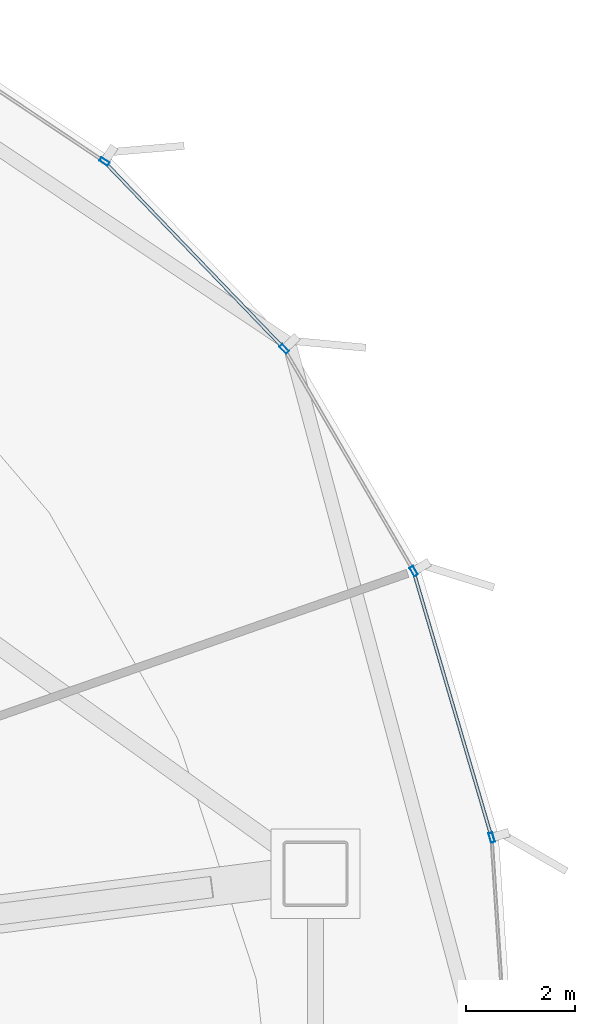
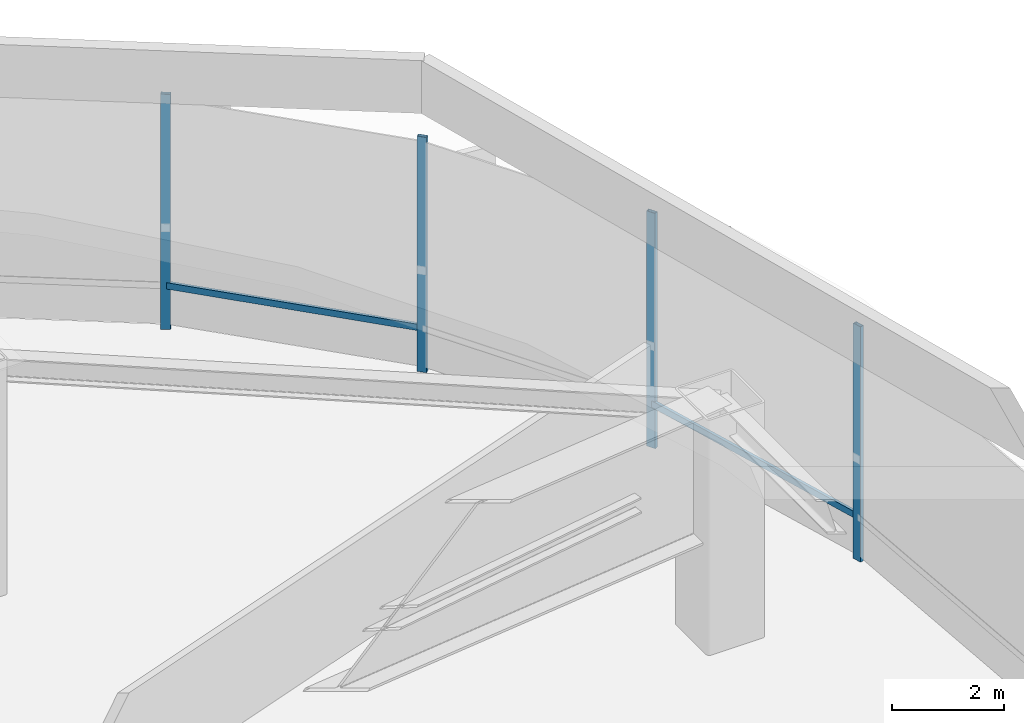
# One storey, part 23 of 36: 6 members, 1 element without a shape of its own.
"""IFC4 building model written with IfcOpenShell, lengths in metres."""

from ifc_helpers import new_model, si_unit, direction, frame, origin, origin_2d, place, context, subcontext, project, spatial, hollow_rectangle, extrude, source, transform, mapped, material, layer, layer_set, material_profile, profile_set, type_object, element, aggregate, save


model = new_model("IFC4")

# Units and contexts
model_context = context("Model", 3, precision=1e-05, world=origin(), true_north=direction((0.0, 1.0)))
body_context = subcontext(model_context, "Body", "Model", "MODEL_VIEW")
ifc_project = project(units=[si_unit("LENGTHUNIT", "METRE"), si_unit("AREAUNIT", "SQUARE_METRE"), si_unit("VOLUMEUNIT", "CUBIC_METRE"), si_unit("PLANEANGLEUNIT", "RADIAN"), si_unit("MASSUNIT", "GRAM", prefix="KILO"), si_unit("THERMODYNAMICTEMPERATUREUNIT", "KELVIN")], contexts=[model_context])

# Site, building, storey
site_placement = place(None, origin())
site = spatial("IfcSite", under=ifc_project, at=site_placement, CompositionType="ELEMENT")
building_placement = place(site_placement, origin())
building = spatial("IfcBuilding", under=site, at=building_placement, Name="Kethvar Cultural Tower", CompositionType="ELEMENT")
storey_placement = place(building_placement, frame((0.0, 0.0, 24.0)))
storey = spatial("IfcBuildingStorey", under=building, at=storey_placement, Name="L05", CompositionType="ELEMENT", Elevation=24.0)

# Curtain wall, members
ifc_material = material(Name="Aluminium 6063-T6", Category="aluminium")
ifc_layer = layer(ifc_material, 0.179931640625, Name="Aluminium 6063-T6", Category="aluminium")
ifc_layer_set = layer_set([ifc_layer], Name="Aluminium 6063-T6 (180 mm)")
curtain_wall_type = type_object("IfcCurtainWallType", Name="CW-SYS-01-POD", PredefinedType="NOTDEFINED", material=ifc_layer_set)
curtain_wall_placement = place(storey_placement, origin())
curtain_wall = element("IfcCurtainWall", 1, at=curtain_wall_placement, inside=storey, type_object=curtain_wall_type, Name="L05 Curtain Wall Run 01", PredefinedType="NOTDEFINED")
ifc_material_profile_1 = material_profile(ifc_material, hollow_rectangle(XDim=0.06005859375, YDim=0.139892578125, WallThickness=0.0048828125, at=origin_2d()), Name="Aluminium 6063-T6 — RHS140x60x5")
ifc_profile_set_1 = profile_set([ifc_material_profile_1], Name="Aluminium 6063-T6 — RHS140x60x5")
member_type_1 = type_object("IfcMemberType", Name="CW-SYS-01-POD-TRN", PredefinedType="USERDEFINED", material=ifc_profile_set_1)
shared_shape_1 = source(origin(), body_context, "Body", "SweptSolid", [
    extrude(hollow_rectangle(XDim=0.06005859375, YDim=0.139892578125, WallThickness=0.0048828125, at=origin_2d()), origin(), (0.0, 0.0, 1.0), 5.012451171875),
])
member_1_placement = place(storey_placement, frame((82.577880859375, 34.993896484375, 0.949951171875), z_axis=(-0.281770748473, 0.959481758714, 0.0), x_axis=(-0.959481758714, -0.281770748473, 0.0)))
member_1 = element("IfcMember", 2, at=member_1_placement, type_object=member_type_1, Name="CW-L05-R01 Transom 2", ObjectType="TRANSOM", PredefinedType="USERDEFINED", context=body_context, shape_type="MappedRepresentation", body=[
    mapped(shared_shape_1, transform((0.0, 0.0, 0.0), scale=1.0)),
])
shared_shape_2 = source(origin(), body_context, "Body", "SweptSolid", [
    extrude(hollow_rectangle(XDim=0.06005859375, YDim=0.139892578125, WallThickness=0.0048828125, at=origin_2d()), origin(), (0.0, 0.0, 1.0), 4.6826171875),
])
member_2_placement = place(storey_placement, frame((78.75341796875, 43.942626953125, 0.949951171875), z_axis=(-0.693341040309, 0.72060960431, 0.0), x_axis=(-0.72060960431, -0.693341040309, 0.0)))
member_2 = element("IfcMember", 3, at=member_2_placement, type_object=member_type_1, Name="CW-L05-R01 Transom 4", ObjectType="TRANSOM", PredefinedType="USERDEFINED", context=body_context, shape_type="MappedRepresentation", body=[
    mapped(shared_shape_2, transform((0.0, 0.0, 0.0), scale=1.0)),
])
ifc_material_profile_2 = material_profile(ifc_material, hollow_rectangle(XDim=0.074951171875, YDim=0.179931640625, WallThickness=0.006103515625, at=origin_2d()), Name="Aluminium 6063-T6 — RHS180x75x6")
ifc_profile_set_2 = profile_set([ifc_material_profile_2], Name="Aluminium 6063-T6 — RHS180x75x6")
member_type_2 = type_object("IfcMemberType", Name="CW-SYS-01-POD-MUL", PredefinedType="MULLION", material=ifc_profile_set_2)
shared_shape_3 = source(origin(), body_context, "Body", "SweptSolid", [
    extrude(hollow_rectangle(XDim=0.074951171875, YDim=0.179931640625, WallThickness=0.006103515625, at=origin_2d()), origin(), (0.0, 0.0, 1.0), 5.1201171875),
])
member_3_placement = place(storey_placement, frame((82.593017578125, 34.94189453125, 0.0), z_axis=(0.0, 0.0, 1.0), x_axis=(-0.959496102658, -0.28172190008, 0.0)))
member_3 = element("IfcMember", 4, at=member_3_placement, type_object=member_type_2, Name="CW-L05-R01 Mullion 2", PredefinedType="MULLION", context=body_context, shape_type="MappedRepresentation", body=[
    mapped(shared_shape_3, transform((0.0, 0.0, 0.0), scale=1.0)),
])
member_4_placement = place(storey_placement, frame((81.162841796875, 39.826171875, 0.0), z_axis=(0.0, 0.0, 1.0), x_axis=(-0.863984939927, -0.503517649721, 0.0)))
member_4 = element("IfcMember", 5, at=member_4_placement, type_object=member_type_2, Name="CW-L05-R01 Mullion 3", PredefinedType="MULLION", context=body_context, shape_type="MappedRepresentation", body=[
    mapped(shared_shape_3, transform((0.0, 0.0, 0.0), scale=1.0)),
])
member_5_placement = place(storey_placement, frame((78.790771484375, 43.90380859375, 0.0), z_axis=(0.0, 0.0, 1.0), x_axis=(-0.720611619661, -0.693338945689, 0.0)))
member_5 = element("IfcMember", 6, at=member_5_placement, type_object=member_type_2, Name="CW-L05-R01 Mullion 4", PredefinedType="MULLION", context=body_context, shape_type="MappedRepresentation", body=[
    mapped(shared_shape_3, transform((0.0, 0.0, 0.0), scale=1.0)),
])
member_6_placement = place(storey_placement, frame((75.49072265625, 47.337890625, 0.0), z_axis=(0.0, 0.0, 1.0), x_axis=(-0.556556649514, -0.830809662848, 0.0)))
member_6 = element("IfcMember", 7, at=member_6_placement, type_object=member_type_2, Name="CW-L05-R01 Mullion 5", PredefinedType="MULLION", context=body_context, shape_type="MappedRepresentation", body=[
    mapped(shared_shape_3, transform((0.0, 0.0, 0.0), scale=1.0)),
])
aggregate(curtain_wall, [member_3, member_4, member_5, member_6, member_1, member_2])

save(model, "model.ifc")
